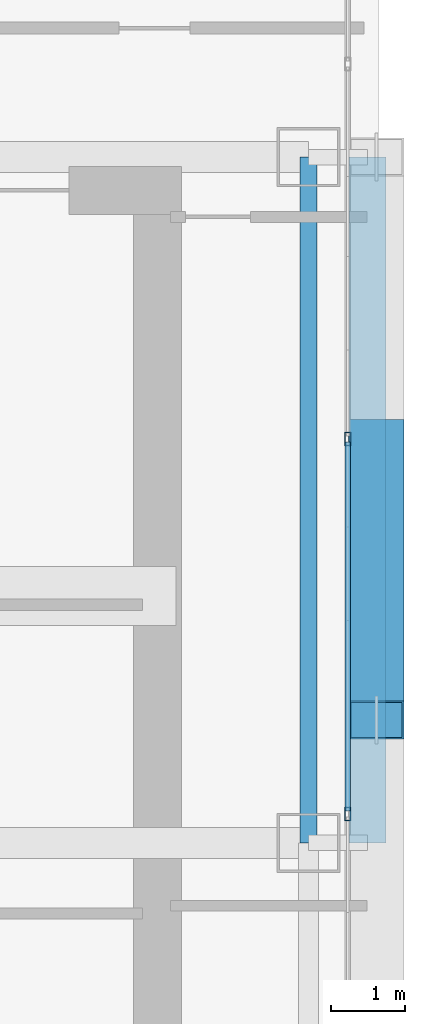
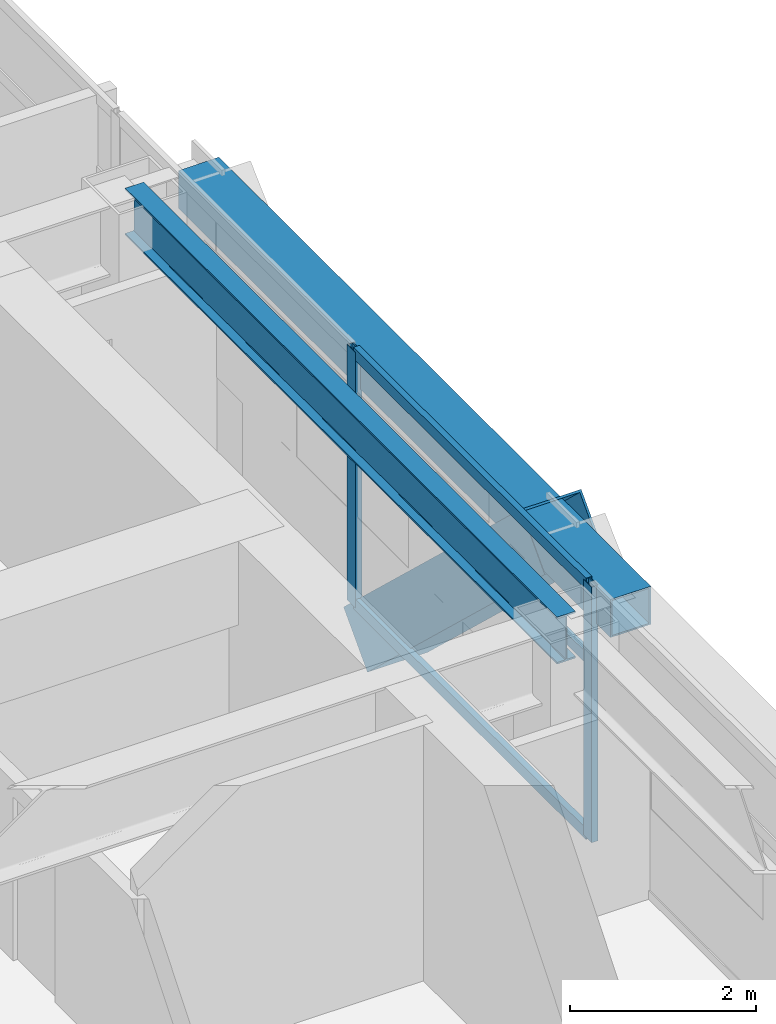
# One storey, part 15 of 36: 6 members, 2 beams, 1 element without a shape of its own.
"""IFC4 building model written with IfcOpenShell, lengths in metres."""

from ifc_helpers import new_model, si_unit, direction, frame, origin, origin_2d, place, context, subcontext, project, spatial, hollow_rectangle, i_section, extrude, source, transform, mapped, material, layer, layer_set, material_profile, profile_set, type_object, element, aggregate, save


model = new_model("IFC4")

# Units and contexts
model_context = context("Model", 3, precision=1e-05, world=origin(), true_north=direction((0.0, 1.0)))
body_context = subcontext(model_context, "Body", "Model", "MODEL_VIEW")
ifc_project = project(units=[si_unit("LENGTHUNIT", "METRE"), si_unit("AREAUNIT", "SQUARE_METRE"), si_unit("VOLUMEUNIT", "CUBIC_METRE"), si_unit("PLANEANGLEUNIT", "RADIAN"), si_unit("MASSUNIT", "GRAM", prefix="KILO")], contexts=[model_context])

# Site, building, storey
site_placement = place(None, origin())
site = spatial("IfcSite", under=ifc_project, at=site_placement, CompositionType="ELEMENT")
building_placement = place(site_placement, origin())
building = spatial("IfcBuilding", under=site, at=building_placement, Name="Ocotamira Hotel", CompositionType="ELEMENT")
storey_placement = place(building_placement, frame((0.0, 0.0, 136.800048828125)))
storey = spatial("IfcBuildingStorey", under=building, at=storey_placement, Name="L34", CompositionType="ELEMENT", Elevation=136.800048828125)

# Beams
ifc_material_1 = material(Name="Steel ASTM A992 Grade 50", Category="steel")
ifc_material_profile_1 = material_profile(ifc_material_1, i_section(OverallWidth=0.22998046875, OverallDepth=0.616943359375, WebThickness=0.01318359375, FlangeThickness=0.022216796875, FilletRadius=0.012939453125, at=origin_2d()), Name="W24X94")
ifc_profile_set_1 = profile_set([ifc_material_profile_1], Name="Steel ASTM A992 Grade 50")
beam_type_1 = type_object("IfcBeamType", Name="BM-PRIM-W24X94", PredefinedType="BEAM", material=ifc_profile_set_1)
shared_shape_1 = source(origin(), body_context, "Body", "SweptSolid", [
    extrude(i_section(OverallWidth=0.22998046875, OverallDepth=0.616943359375, WebThickness=0.01318359375, FlangeThickness=0.022216796875, FilletRadius=0.012939453125, at=origin_2d()), origin(), (0.0, 0.0, 1.0), 9.300048828125),
])
beam_1_placement = place(storey_placement, frame((55.050048828125, 28.14990234375, 3.051513671875), z_axis=(0.0, 1.0, 0.0), x_axis=(-1.0, 0.0, 0.0)))
element("IfcBeam", 1, at=beam_1_placement, inside=storey, type_object=beam_type_1, Name="L34 Beam X55.05 Y28.15-37.45", PredefinedType="BEAM", context=body_context, shape_type="MappedRepresentation", body=[
    mapped(shared_shape_1, transform((0.0, 0.0, 0.0), scale=1.0)),
])
ifc_material_2 = material(Name="Steel ASTM A500 Grade C", Category="steel")
ifc_material_profile_2 = material_profile(ifc_material_2, hollow_rectangle(XDim=0.5, YDim=0.5, WallThickness=0.02001953125, at=origin_2d()), Name="HSS500X500X20")
ifc_profile_set_2 = profile_set([ifc_material_profile_2], Name="Steel ASTM A500 Grade C")
beam_type_2 = type_object("IfcBeamType", Name="BM-SPAN-HSS500", PredefinedType="USERDEFINED", material=ifc_profile_set_2)
shared_shape_2 = source(origin(), body_context, "Body", "SweptSolid", [
    extrude(hollow_rectangle(XDim=0.5, YDim=0.5, WallThickness=0.02001953125, at=origin_2d()), origin(), (0.0, 0.0, 1.0), 9.300048828125),
])
beam_2_placement = place(storey_placement, frame((55.85009765625, 28.14990234375, 3.10986328125), z_axis=(0.0, 1.0, 0.0), x_axis=(-1.0, 0.0, 0.0)))
element("IfcBeam", 2, at=beam_2_placement, inside=storey, type_object=beam_type_2, Name="L34 Edge Spandrel E Y28.15-37.45", ObjectType="SPANDREL", PredefinedType="USERDEFINED", context=body_context, shape_type="MappedRepresentation", body=[
    mapped(shared_shape_2, transform((0.0, 0.0, 0.0), scale=1.0)),
])

# Member
ifc_material_3 = material(Name="Pale-metal coated steel ASTM A913 Grade 65", Category="steel")
ifc_material_profile_3 = material_profile(ifc_material_3, hollow_rectangle(XDim=0.75, YDim=0.75, WallThickness=0.028076171875, at=origin_2d()), Name="BOX750X750X28")
ifc_profile_set_3 = profile_set([ifc_material_profile_3], Name="Pale-metal coated steel ASTM A913 Grade 65")
member_type_1 = type_object("IfcMemberType", Name="MEM-EXO-BOX750", PredefinedType="BRACE", material=ifc_profile_set_3)
shared_shape_3 = source(origin(), body_context, "Body", "SweptSolid", [
    extrude(hollow_rectangle(XDim=0.75, YDim=0.75, WallThickness=0.028076171875, at=origin_2d()), origin(), (0.0, 0.0, 1.0), 5.24658203125),
])
member_1_placement = place(storey_placement, frame((55.969970703125, 33.63330078125, -0.489990234375), z_axis=(0.0, -0.72746596067, 0.686143772154), x_axis=(1.0, 0.0, 0.0)))
element("IfcMember", 3, at=member_1_placement, inside=storey, type_object=member_type_1, Name="L34 Exoskeleton Diagrid E2.1", PredefinedType="BRACE", context=body_context, shape_type="MappedRepresentation", body=[
    mapped(shared_shape_3, transform((0.0, 0.0, 0.0), scale=1.0)),
])

# Curtain wall, members
ifc_material_4 = material(Name="Anodised pale-metal aluminium and solar glass", Category="aluminium")
ifc_layer = layer(ifc_material_4, 0.179931640625)
ifc_layer_set = layer_set([ifc_layer], Name="Anodised pale-metal aluminium and solar glass")
curtain_wall_type = type_object("IfcCurtainWallType", Name="CW-SYS3-Z2", PredefinedType="NOTDEFINED", material=ifc_layer_set)
curtain_wall_placement = place(storey_placement, origin())
curtain_wall = element("IfcCurtainWall", 4, at=curtain_wall_placement, inside=storey, type_object=curtain_wall_type, Name="L34 Curtain Wall CW-3 CW-L34-E", PredefinedType="NOTDEFINED")
ifc_material_5 = material(Name="Anodised pale-metal aluminium 6063-T6", Category="aluminium")
ifc_material_profile_4 = material_profile(ifc_material_5, hollow_rectangle(XDim=0.074951171875, YDim=0.14990234375, WallThickness=0.006103515625, at=origin_2d()), Name="HSS150X75X6")
ifc_profile_set_4 = profile_set([ifc_material_profile_4], Name="Anodised pale-metal aluminium 6063-T6")
member_type_2 = type_object("IfcMemberType", Name="CWT-150X75", PredefinedType="USERDEFINED", material=ifc_profile_set_4)
shared_shape_4 = source(origin(), body_context, "Body", "SweptSolid", [
    extrude(hollow_rectangle(XDim=0.074951171875, YDim=0.14990234375, WallThickness=0.006103515625, at=origin_2d()), origin(), (0.0, 0.0, 1.0), 5.005859375),
])
member_2_placement = place(storey_placement, frame((55.580078125, 28.582763671875, 0.037353515625), z_axis=(0.0, 1.0, 0.0), x_axis=(-1.0, 0.0, 0.0)))
member_2 = element("IfcMember", 5, at=member_2_placement, type_object=member_type_2, Name="CW-3 transom 5.1", ObjectType="TRANSOM", PredefinedType="USERDEFINED", context=body_context, shape_type="MappedRepresentation", body=[
    mapped(shared_shape_4, transform((0.0, 0.0, 0.0), scale=1.0)),
])
member_3_placement = place(storey_placement, frame((55.580078125, 28.582763671875, 2.349853515625), z_axis=(0.0, 1.0, 0.0), x_axis=(-1.0, 0.0, 0.0)))
member_3 = element("IfcMember", 6, at=member_3_placement, type_object=member_type_2, Name="CW-3 transom 5.2", ObjectType="TRANSOM", PredefinedType="USERDEFINED", context=body_context, shape_type="MappedRepresentation", body=[
    mapped(shared_shape_4, transform((0.0, 0.0, 0.0), scale=1.0)),
])
member_4_placement = place(storey_placement, frame((55.580078125, 28.582763671875, 3.322509765625), z_axis=(0.0, 1.0, 0.0), x_axis=(-1.0, 0.0, 0.0)))
member_4 = element("IfcMember", 7, at=member_4_placement, type_object=member_type_2, Name="CW-3 transom 5.3", ObjectType="TRANSOM", PredefinedType="USERDEFINED", context=body_context, shape_type="MappedRepresentation", body=[
    mapped(shared_shape_4, transform((0.0, 0.0, 0.0), scale=1.0)),
])
ifc_material_profile_5 = material_profile(ifc_material_5, hollow_rectangle(XDim=0.080078125, YDim=0.179931640625, WallThickness=0.006103515625, at=origin_2d()), Name="HSS180X80X6")
ifc_profile_set_5 = profile_set([ifc_material_profile_5], Name="Anodised pale-metal aluminium 6063-T6")
member_type_3 = type_object("IfcMemberType", Name="CWM-180X75", PredefinedType="MULLION", material=ifc_profile_set_5)
shared_shape_5 = source(origin(), body_context, "Body", "SweptSolid", [
    extrude(hollow_rectangle(XDim=0.080078125, YDim=0.179931640625, WallThickness=0.006103515625, at=origin_2d()), origin(), (0.0, 0.0, 1.0), 3.35986328125),
])
member_5_placement = place(storey_placement, frame((55.580078125, 28.54296875, 0.0), z_axis=(0.0, 0.0, 1.0), x_axis=(-1.0, 0.0, 0.0)))
member_5 = element("IfcMember", 8, at=member_5_placement, type_object=member_type_3, Name="CW-3 mullion 5", PredefinedType="MULLION", context=body_context, shape_type="MappedRepresentation", body=[
    mapped(shared_shape_5, transform((0.0, 0.0, 0.0), scale=1.0)),
])
member_6_placement = place(storey_placement, frame((55.580078125, 33.628662109375, 0.0), z_axis=(0.0, 0.0, 1.0), x_axis=(-1.0, 0.0, 0.0)))
member_6 = element("IfcMember", 9, at=member_6_placement, type_object=member_type_3, Name="CW-3 mullion 6", PredefinedType="MULLION", context=body_context, shape_type="MappedRepresentation", body=[
    mapped(shared_shape_5, transform((0.0, 0.0, 0.0), scale=1.0)),
])
aggregate(curtain_wall, [member_5, member_6, member_2, member_3, member_4])

save(model, "model.ifc")
